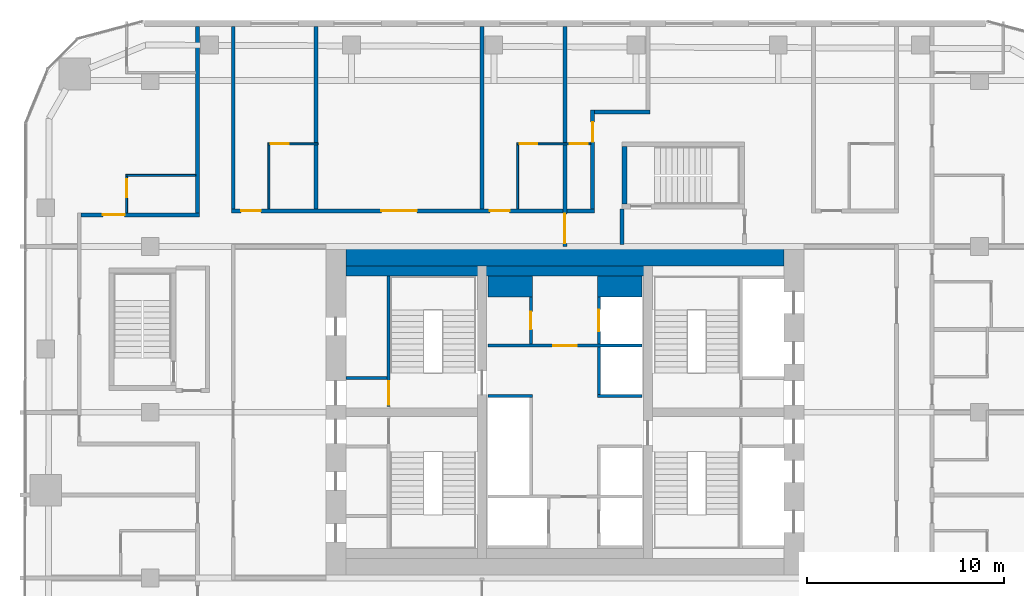
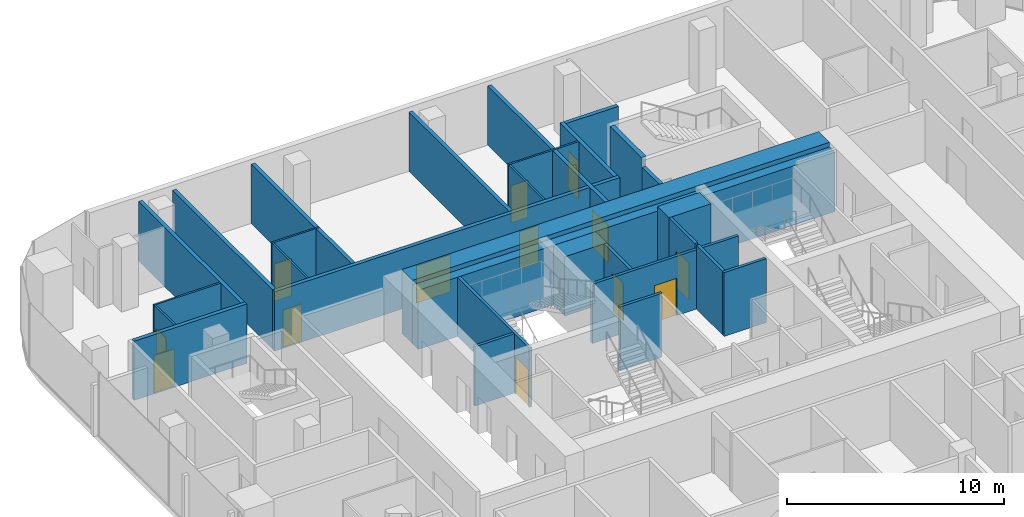
# One storey, part 19 of 23: 29 walls, 14 doors, 14 openings.
"""IFC4 building model written with IfcOpenShell, lengths in metres."""

from ifc_helpers import new_model, si_unit, direction, frame, frame_2d, origin, place, context, subcontext, project, spatial, rectangle, extrude, material, layer, layer_set, type_object, element, fill, save


model = new_model("IFC4")

# Units and contexts
model_context = context("Model", 3, precision=1e-05, world=origin(), true_north=direction((0.0, 1.0)))
body_context = subcontext(model_context, "Body", "Model", "MODEL_VIEW")
ifc_project = project(units=[si_unit("LENGTHUNIT", "METRE"), si_unit("AREAUNIT", "SQUARE_METRE"), si_unit("VOLUMEUNIT", "CUBIC_METRE"), si_unit("PLANEANGLEUNIT", "RADIAN"), si_unit("MASSUNIT", "GRAM", prefix="KILO")], contexts=[model_context])

# Site, building, storey
site_placement = place(None, origin())
site = spatial("IfcSite", under=ifc_project, at=site_placement, CompositionType="ELEMENT")
building_placement = place(site_placement, origin())
building = spatial("IfcBuilding", under=site, at=building_placement, Name="Marenta Gate Hotel Tower", CompositionType="ELEMENT")
storey_placement = place(building_placement, frame((0.0, 0.0, 140.89990234375)))
storey = spatial("IfcBuildingStorey", under=building, at=storey_placement, Name="L32", CompositionType="ELEMENT", Elevation=140.89990234375)

# Wall, opening, door
ifc_material_1 = material(Name="Concrete blockwork", Category="masonry")
ifc_layer_1 = layer(ifc_material_1, 0.199951171875)
ifc_layer_set_1 = layer_set([ifc_layer_1], Name="Concrete blockwork")
wall_type_1 = type_object("IfcWallType", Name="Compartment wall 200 REI 180", PredefinedType="PARTITIONING", material=ifc_layer_set_1)
wall_1_placement = place(storey_placement, frame((0.0, 16.800048828125, 0.0), z_axis=(0.0, 0.0, 1.0), x_axis=(0.0, 1.0, 0.0)))
wall_1 = element("IfcWall", 1, at=wall_1_placement, inside=storey, type_object=wall_type_1, Name="L32-PTN-W075", PredefinedType="PARTITIONING", context=body_context, shape_type="SweptSolid", body=[
    extrude(rectangle(XDim=11.139892578125, YDim=0.199951171875, at=frame_2d((5.56982421875, 0.0))), origin(), (0.0, 0.0, 1.0), 3.340087890625),
])
opening_1_placement = place(wall_1_placement, frame((0.14990234375, 0.0, 0.0)))
opening_1 = element("IfcOpeningElement", 2, at=opening_1_placement, cuts=wall_1, Name="Opening G12-FD1", PredefinedType="OPENING", context=body_context, shape_type="SweptSolid", body=[
    extrude(rectangle(XDim=1.5, YDim=2.10009765625, at=frame_2d((0.75, 1.050048828125))), frame((0.0, 0.10009765625, 0.0), z_axis=(0.0, -1.0, 0.0), x_axis=(1.0, 0.0, 0.0)), (0.0, 0.0, 1.0), 0.199951171875),
])
ifc_material_2 = material(Name="Hollow steel door set", Category="steel")
door_type_1 = type_object("IfcDoorType", Name="Compartment fire door 1500x2100 EI 60", OperationType="DOUBLE_DOOR_DOUBLE_SWING", PredefinedType="DOOR", material=ifc_material_2)
door_1_placement = place(opening_1_placement, origin())
door_1 = element("IfcDoor", 3, at=door_1_placement, inside=storey, type_object=door_type_1, Name="L32-PD-FD01", OperationType="DOUBLE_DOOR_DOUBLE_SWING", OverallHeight=2.10009765625, OverallWidth=1.5, PredefinedType="DOOR", context=body_context, shape_type="SweptSolid", body=[
    extrude(rectangle(XDim=1.5, YDim=2.10009765625, at=frame_2d((0.75, 1.050048828125))), frame((0.0, 0.02490234375, 0.0), z_axis=(0.0, -1.0, 0.0), x_axis=(1.0, 0.0, 0.0)), (0.0, 0.0, 1.0), 0.050048828125),
])
fill(opening_1, door_1)

# Wall
ifc_material_3 = material(Name="Concrete C40", Category="concrete")
ifc_layer_2 = layer(ifc_material_3, 0.5)
ifc_layer_set_2 = layer_set([ifc_layer_2], Name="Concrete C40")
wall_type_2 = type_object("IfcWallType", Name="Core lining wall 500 REI 180", PredefinedType="PARTITIONING", material=ifc_layer_set_2)
wall_2_placement = place(storey_placement, frame((-11.10009765625, 15.550048828125, 0.0), z_axis=(0.0, 0.0, 1.0), x_axis=(1.0, 0.0, 0.0)))
element("IfcWall", 4, at=wall_2_placement, inside=storey, type_object=wall_type_2, Name="L32-CP-LN-N", PredefinedType="PARTITIONING", context=body_context, shape_type="SweptSolid", body=[
    extrude(rectangle(XDim=22.2001953125, YDim=0.5, at=frame_2d((11.10009765625, 0.0))), origin(), (0.0, 0.0, 1.0), 3.340087890625),
])

# Wall, opening, door
ifc_material_4 = material(Name="Concrete blockwork", Category="masonry")
ifc_layer_3 = layer(ifc_material_4, 0.14990234375)
ifc_layer_set_3 = layer_set([ifc_layer_3], Name="Concrete blockwork")
wall_type_3 = type_object("IfcWallType", Name="Core lobby partition 150 REI 180", PredefinedType="PARTITIONING", material=ifc_layer_set_3)
wall_3_placement = place(storey_placement, frame((-3.89990234375, 11.77490234375, 0.0), z_axis=(0.0, 0.0, 1.0), x_axis=(1.0, 0.0, 0.0)))
wall_3 = element("IfcWall", 5, at=wall_3_placement, inside=storey, type_object=wall_type_3, Name="L32-CP-CW-N", PredefinedType="PARTITIONING", context=body_context, shape_type="SweptSolid", body=[
    extrude(rectangle(XDim=7.7998046875, YDim=0.14990234375, at=frame_2d((3.89990234375, 0.0))), origin(), (0.0, 0.0, 1.0), 3.340087890625),
])
opening_2_placement = place(wall_3_placement, frame((3.300048828125, 0.0, 0.0)))
opening_2 = element("IfcOpeningElement", 6, at=opening_2_placement, cuts=wall_3, Name="Opening FD-FFN", PredefinedType="OPENING", context=body_context, shape_type="SweptSolid", body=[
    extrude(rectangle(XDim=1.199951171875, YDim=2.10009765625, at=frame_2d((0.60009765625, 1.050048828125))), frame((0.0, 0.074951171875, 0.0), z_axis=(0.0, -1.0, 0.0), x_axis=(1.0, 0.0, 0.0)), (0.0, 0.0, 1.0), 0.14990234375),
])
ifc_material_5 = material(Name="Steel", Category="steel")
door_type_2 = type_object("IfcDoorType", Name="Core lobby door 1200x2100 FD60", OperationType="SINGLE_SWING_LEFT", PredefinedType="DOOR", material=ifc_material_5)
door_2_placement = place(opening_2_placement, origin())
door_2 = element("IfcDoor", 7, at=door_2_placement, inside=storey, type_object=door_type_2, Name="FD-FFN", OperationType="SINGLE_SWING_LEFT", OverallHeight=2.10009765625, OverallWidth=1.199951171875, PredefinedType="DOOR", context=body_context, shape_type="SweptSolid", body=[
    extrude(rectangle(XDim=1.199951171875, YDim=2.10009765625, at=frame_2d((0.60009765625, 1.050048828125))), frame((0.0, 0.02490234375, 0.0), z_axis=(0.0, -1.0, 0.0), x_axis=(1.0, 0.0, 0.0)), (0.0, 0.0, 1.0), 0.050048828125),
])
fill(opening_2, door_2)

# Walls
ifc_material_6 = material(Name="Concrete blockwork", Category="masonry")
ifc_layer_4 = layer(ifc_material_6, 1.050048828125)
ifc_layer_set_4 = layer_set([ifc_layer_4], Name="Concrete blockwork")
wall_type_4 = type_object("IfcWallType", Name="Core room partition 1050 REI 180", PredefinedType="PARTITIONING", material=ifc_layer_set_4)
wall_4_placement = place(storey_placement, frame((-3.89990234375, 14.77490234375, 0.0), z_axis=(0.0, 0.0, 1.0), x_axis=(1.0, 0.0, 0.0)))
element("IfcWall", 8, at=wall_4_placement, inside=storey, type_object=wall_type_4, Name="L32-CP-CW-W-riser-N", PredefinedType="PARTITIONING", context=body_context, shape_type="SweptSolid", body=[
    extrude(rectangle(XDim=2.25, YDim=1.050048828125, at=frame_2d((1.125, 0.0))), origin(), (0.0, 0.0, 1.0), 3.340087890625),
])
ifc_material_7 = material(Name="Concrete blockwork", Category="masonry")
ifc_layer_5 = layer(ifc_material_7, 0.14990234375)
ifc_layer_set_5 = layer_set([ifc_layer_5], Name="Concrete blockwork")
wall_type_5 = type_object("IfcWallType", Name="Core room partition 150 REI 180", PredefinedType="PARTITIONING", material=ifc_layer_set_5)
wall_5_placement = place(storey_placement, frame((-11.10009765625, 10.125, 0.0), z_axis=(0.0, 0.0, 1.0), x_axis=(1.0, 0.0, 0.0)))
element("IfcWall", 9, at=wall_5_placement, inside=storey, type_object=wall_type_5, Name="L32-CP-SW-WN-2", PredefinedType="PARTITIONING", context=body_context, shape_type="SweptSolid", body=[
    extrude(rectangle(XDim=2.10009765625, YDim=0.14990234375, at=frame_2d((1.050048828125, 0.0))), origin(), (0.0, 0.0, 1.0), 3.340087890625),
])

# Wall, opening, door
wall_6_placement = place(storey_placement, frame((-1.72509765625, 11.85009765625, 0.0), z_axis=(0.0, 0.0, 1.0), x_axis=(0.0, 1.0, 0.0)))
wall_6 = element("IfcWall", 10, at=wall_6_placement, inside=storey, type_object=wall_type_5, Name="L32-CP-CW-W-riser-front", PredefinedType="PARTITIONING", context=body_context, shape_type="SweptSolid", body=[
    extrude(rectangle(XDim=2.39990234375, YDim=0.14990234375, at=frame_2d((1.199951171875, 0.0))), origin(), (0.0, 0.0, 1.0), 3.340087890625),
])
opening_3_placement = place(wall_6_placement, frame((0.75, 0.0, 0.0)))
opening_3 = element("IfcOpeningElement", 11, at=opening_3_placement, cuts=wall_6, Name="Opening RD-CRISER", PredefinedType="OPENING", context=body_context, shape_type="SweptSolid", body=[
    extrude(rectangle(XDim=0.89990234375, YDim=2.10009765625, at=frame_2d((0.449951171875, 1.050048828125))), frame((0.0, 0.074951171875, 0.0), z_axis=(0.0, -1.0, 0.0), x_axis=(1.0, 0.0, 0.0)), (0.0, 0.0, 1.0), 0.14990234375),
])
ifc_material_8 = material(Name="Steel", Category="steel")
door_type_3 = type_object("IfcDoorType", Name="Core riser door 900x2100 FD60", OperationType="SINGLE_SWING_LEFT", PredefinedType="DOOR", material=ifc_material_8)
door_3_placement = place(opening_3_placement, origin())
door_3 = element("IfcDoor", 12, at=door_3_placement, inside=storey, type_object=door_type_3, Name="RD-CRISER", OperationType="SINGLE_SWING_LEFT", OverallHeight=2.10009765625, OverallWidth=0.89990234375, PredefinedType="DOOR", context=body_context, shape_type="SweptSolid", body=[
    extrude(rectangle(XDim=0.89990234375, YDim=2.10009765625, at=frame_2d((0.449951171875, 1.050048828125))), frame((0.0, 0.02490234375, 0.0), z_axis=(0.0, -1.0, 0.0), x_axis=(1.0, 0.0, 0.0)), (0.0, 0.0, 1.0), 0.050048828125),
])
fill(opening_3, door_3)

# Walls
ifc_material_9 = material(Name="Concrete C40", Category="concrete")
ifc_layer_6 = layer(ifc_material_9, 1.050048828125)
ifc_layer_set_6 = layer_set([ifc_layer_6], Name="Concrete C40")
wall_type_6 = type_object("IfcWallType", Name="Core shaft wall 1050 REI 180", PredefinedType="SHEAR", material=ifc_layer_set_6)
wall_7_placement = place(storey_placement, frame((1.64990234375, 14.77490234375, 0.0), z_axis=(0.0, 0.0, 1.0), x_axis=(1.0, 0.0, 0.0)))
element("IfcWall", 13, at=wall_7_placement, inside=storey, type_object=wall_type_6, Name="L32-SHF-CE-N-top", PredefinedType="SHEAR", context=body_context, shape_type="SweptSolid", body=[
    extrude(rectangle(XDim=2.25, YDim=1.050048828125, at=frame_2d((1.125, 0.0))), origin(), (0.0, 0.0, 1.0), 3.60009765625),
])
ifc_material_10 = material(Name="Concrete C40", Category="concrete")
ifc_layer_7 = layer(ifc_material_10, 0.14990234375)
ifc_layer_set_7 = layer_set([ifc_layer_7], Name="Concrete C40")
wall_type_7 = type_object("IfcWallType", Name="Core shaft wall 150 REI 180", PredefinedType="SHEAR", material=ifc_layer_set_7)
wall_8_placement = place(storey_placement, frame((-3.89990234375, 9.22509765625, 0.0), z_axis=(0.0, 0.0, 1.0), x_axis=(1.0, 0.0, 0.0)))
element("IfcWall", 14, at=wall_8_placement, inside=storey, type_object=wall_type_7, Name="L32-SHF-CW-W-sep", PredefinedType="SHEAR", context=body_context, shape_type="SweptSolid", body=[
    extrude(rectangle(XDim=2.25, YDim=0.14990234375, at=frame_2d((1.125, 0.0))), origin(), (0.0, 0.0, 1.0), 3.60009765625),
])

# Wall, opening, door
wall_9_placement = place(storey_placement, frame((1.72509765625, 11.85009765625, 0.0), z_axis=(0.0, 0.0, 1.0), x_axis=(0.0, 1.0, 0.0)))
wall_9 = element("IfcWall", 15, at=wall_9_placement, inside=storey, type_object=wall_type_7, Name="L32-SHF-CE-N-front2", PredefinedType="SHEAR", context=body_context, shape_type="SweptSolid", body=[
    extrude(rectangle(XDim=2.39990234375, YDim=0.14990234375, at=frame_2d((1.199951171875, 0.0))), origin(), (0.0, 0.0, 1.0), 3.60009765625),
])
opening_4_placement = place(wall_9_placement, frame((0.64990234375, 0.0, 0.0)))
opening_4 = element("IfcOpeningElement", 16, at=opening_4_placement, cuts=wall_9, Name="Opening LD-FF2", PredefinedType="OPENING", context=body_context, shape_type="SweptSolid", body=[
    extrude(rectangle(XDim=1.10009765625, YDim=2.10009765625, at=frame_2d((0.550048828125, 1.050048828125))), frame((0.0, 0.074951171875, 0.0), z_axis=(0.0, -1.0, 0.0), x_axis=(1.0, 0.0, 0.0)), (0.0, 0.0, 1.0), 0.14990234375),
])
ifc_material_11 = material(Name="Steel", Category="steel")
door_type_4 = type_object("IfcDoorType", Name="Core lift landing door 1100x2100 E 60", OperationType="SLIDING_TO_LEFT", PredefinedType="DOOR", material=ifc_material_11)
door_4_placement = place(opening_4_placement, origin())
door_4 = element("IfcDoor", 17, at=door_4_placement, inside=storey, type_object=door_type_4, Name="LD-FF2", OperationType="SLIDING_TO_LEFT", OverallHeight=2.10009765625, OverallWidth=1.10009765625, PredefinedType="DOOR", context=body_context, shape_type="SweptSolid", body=[
    extrude(rectangle(XDim=1.10009765625, YDim=2.10009765625, at=frame_2d((0.550048828125, 1.050048828125))), frame((0.0, 0.02490234375, 0.0), z_axis=(0.0, -1.0, 0.0), x_axis=(1.0, 0.0, 0.0)), (0.0, 0.0, 1.0), 0.050048828125),
])
fill(opening_4, door_4)

# Walls
wall_10_placement = place(storey_placement, frame((1.64990234375, 9.22509765625, 0.0), z_axis=(0.0, 0.0, 1.0), x_axis=(1.0, 0.0, 0.0)))
element("IfcWall", 18, at=wall_10_placement, inside=storey, type_object=wall_type_7, Name="L32-SHF-CE-sep2", PredefinedType="SHEAR", context=body_context, shape_type="SweptSolid", body=[
    extrude(rectangle(XDim=2.25, YDim=0.14990234375, at=frame_2d((1.125, 0.0))), origin(), (0.0, 0.0, 1.0), 3.60009765625),
])
wall_11_placement = place(storey_placement, frame((1.72509765625, 9.300048828125, 0.0), z_axis=(0.0, 0.0, 1.0), x_axis=(0.0, 1.0, 0.0)))
element("IfcWall", 19, at=wall_11_placement, inside=storey, type_object=wall_type_7, Name="L32-SHF-CE-front-2", PredefinedType="SHEAR", context=body_context, shape_type="SweptSolid", body=[
    extrude(rectangle(XDim=2.39990234375, YDim=0.14990234375, at=frame_2d((1.199951171875, 0.0))), origin(), (0.0, 0.0, 1.0), 3.60009765625),
])

# Wall, opening, door
ifc_material_12 = material(Name="Concrete C40", Category="concrete")
ifc_layer_8 = layer(ifc_material_12, 0.14990234375)
ifc_layer_set_8 = layer_set([ifc_layer_8], Name="Concrete C40")
wall_type_8 = type_object("IfcWallType", Name="Core stair enclosure wall 150 REI 180", PredefinedType="SHEAR", material=ifc_layer_set_8)
wall_12_placement = place(storey_placement, frame((-8.925048828125, 8.699951171875, 0.0), z_axis=(0.0, 0.0, 1.0), x_axis=(0.0, 1.0, 0.0)))
wall_12 = element("IfcWall", 20, at=wall_12_placement, inside=storey, type_object=wall_type_8, Name="L32-SHF-SW-WN-3", PredefinedType="SHEAR", context=body_context, shape_type="SweptSolid", body=[
    extrude(rectangle(XDim=6.60009765625, YDim=0.14990234375, at=frame_2d((3.300048828125, 0.0))), origin(), (0.0, 0.0, 1.0), 3.340087890625),
])
opening_5_placement = place(wall_12_placement, frame((0.074951171875, 0.0, 0.0)))
opening_5 = element("IfcOpeningElement", 21, at=opening_5_placement, cuts=wall_12, Name="Opening SD-WN", PredefinedType="OPENING", context=body_context, shape_type="SweptSolid", body=[
    extrude(rectangle(XDim=1.199951171875, YDim=2.10009765625, at=frame_2d((0.60009765625, 1.050048828125))), frame((0.0, 0.074951171875, 0.0), z_axis=(0.0, -1.0, 0.0), x_axis=(1.0, 0.0, 0.0)), (0.0, 0.0, 1.0), 0.14990234375),
])
ifc_material_13 = material(Name="Steel", Category="steel")
door_type_5 = type_object("IfcDoorType", Name="Core stair door 1200x2100 FD60", OperationType="SINGLE_SWING_LEFT", PredefinedType="DOOR", material=ifc_material_13)
door_5_placement = place(opening_5_placement, origin())
door_5 = element("IfcDoor", 22, at=door_5_placement, inside=storey, type_object=door_type_5, Name="SD-WN", OperationType="SINGLE_SWING_LEFT", OverallHeight=2.10009765625, OverallWidth=1.199951171875, PredefinedType="DOOR", context=body_context, shape_type="SweptSolid", body=[
    extrude(rectangle(XDim=1.199951171875, YDim=2.10009765625, at=frame_2d((0.60009765625, 1.050048828125))), frame((0.0, 0.02490234375, 0.0), z_axis=(0.0, -1.0, 0.0), x_axis=(1.0, 0.0, 0.0)), (0.0, 0.0, 1.0), 0.050048828125),
])
fill(opening_5, door_5)

# Walls
ifc_material_14 = material(Name="Concrete C70", Category="concrete")
ifc_layer_9 = layer(ifc_material_14, 1.0)
ifc_layer_set_9 = layer_set([ifc_layer_9], Name="Concrete C70")
wall_type_9 = type_object("IfcWallType", Name="Core wall 1000 C70", PredefinedType="SHEAR", material=ifc_layer_set_9)
wall_13_placement = place(storey_placement, frame((-11.10009765625, 16.300048828125, 0.0), z_axis=(0.0, 0.0, 1.0), x_axis=(1.0, 0.0, 0.0)))
element("IfcWall", 23, at=wall_13_placement, inside=storey, type_object=wall_type_9, Name="L32-CORE-N", PredefinedType="SHEAR", context=body_context, shape_type="SweptSolid", body=[
    extrude(rectangle(XDim=22.2001953125, YDim=1.0, at=frame_2d((11.10009765625, 0.0))), origin(), (0.0, 0.0, 1.0), 3.60009765625),
])
ifc_material_15 = material(Name="Concrete C40", Category="concrete")
ifc_layer_10 = layer(ifc_material_15, 0.25)
ifc_layer_set_10 = layer_set([ifc_layer_10], Name="Concrete C40")
wall_type_10 = type_object("IfcWallType", Name="Remote stair enclosure wall 250 REI 180", PredefinedType="SHEAR", material=ifc_layer_set_10)
wall_14_placement = place(storey_placement, frame((3.02490234375, 18.949951171875, 0.10009765625), z_axis=(0.0, 0.0, 1.0), x_axis=(0.0, 1.0, 0.0)))
element("IfcWall", 24, at=wall_14_placement, inside=storey, type_object=wall_type_10, Name="L32-RS-Z2-4-W3", PredefinedType="SHEAR", context=body_context, shape_type="SweptSolid", body=[
    extrude(rectangle(XDim=2.900146484375, YDim=0.25, at=frame_2d((1.4501953125, 0.0))), origin(), (0.0, 0.0, 1.0), 3.60009765625),
])

# Wall, opening, door
ifc_material_16 = material(Name="Gypsum board on steel stud", Category="steel")
ifc_layer_11 = layer(ifc_material_16, 0.199951171875)
ifc_layer_set_11 = layer_set([ifc_layer_11], Name="Gypsum board on steel stud")
wall_type_11 = type_object("IfcWallType", Name="Room corridor wall 200 EI 60", PredefinedType="PARTITIONING", material=ifc_layer_set_11)
wall_15_placement = place(storey_placement, frame((1.39990234375, 18.699951171875, 0.0), z_axis=(0.0, 0.0, 1.0), x_axis=(0.0, 1.0, 0.0)))
wall_15 = element("IfcWall", 25, at=wall_15_placement, inside=storey, type_object=wall_type_11, Name="L32-PTN-W072", PredefinedType="PARTITIONING", context=body_context, shape_type="SweptSolid", body=[
    extrude(rectangle(XDim=5.0, YDim=0.199951171875, at=frame_2d((2.5, 0.0))), origin(), (0.0, 0.0, 1.0), 3.340087890625),
])
opening_6_placement = place(wall_15_placement, frame((3.39990234375, 0.0, 0.0)))
opening_6 = element("IfcOpeningElement", 26, at=opening_6_placement, cuts=wall_15, Name="Opening G12-34", PredefinedType="OPENING", context=body_context, shape_type="SweptSolid", body=[
    extrude(rectangle(XDim=1.0, YDim=2.10009765625, at=frame_2d((0.5, 1.050048828125))), frame((0.0, 0.10009765625, 0.0), z_axis=(0.0, -1.0, 0.0), x_axis=(1.0, 0.0, 0.0)), (0.0, 0.0, 1.0), 0.199951171875),
])
ifc_material_17 = material(Name="Timber door leaf", Category="wood")
door_type_6 = type_object("IfcDoorType", Name="Guest room door 1000x2100 EI 30", OperationType="NOTDEFINED", PredefinedType="DOOR", material=ifc_material_17)
door_6_placement = place(opening_6_placement, origin())
door_6 = element("IfcDoor", 27, at=door_6_placement, inside=storey, type_object=door_type_6, Name="L32-PD-D034", OperationType="SINGLE_SWING_RIGHT", OverallHeight=2.10009765625, OverallWidth=1.0, PredefinedType="DOOR", context=body_context, shape_type="SweptSolid", body=[
    extrude(rectangle(XDim=1.0, YDim=2.10009765625, at=frame_2d((0.5, 1.050048828125))), frame((0.0, 0.02490234375, 0.0), z_axis=(0.0, -1.0, 0.0), x_axis=(1.0, 0.0, 0.0)), (0.0, 0.0, 1.0), 0.050048828125),
])
fill(opening_6, door_6)

# Wall
wall_16_placement = place(storey_placement, frame((-16.800048828125, 18.699951171875, 0.0), z_axis=(0.0, 0.0, 1.0), x_axis=(0.0, 1.0, 0.0)))
element("IfcWall", 28, at=wall_16_placement, inside=storey, type_object=wall_type_11, Name="L32-PTN-W105", PredefinedType="PARTITIONING", context=body_context, shape_type="SweptSolid", body=[
    extrude(rectangle(XDim=9.239990234375, YDim=0.199951171875, at=frame_2d((4.6201171875, 0.0))), origin(), (0.0, 0.0, 1.0), 3.340087890625),
])

# Wall, opening, door
wall_17_placement = place(storey_placement, frame((-24.5, 18.39990234375, 0.0), z_axis=(0.0, 0.0, 1.0), x_axis=(1.0, 0.0, 0.0)))
wall_17 = element("IfcWall", 29, at=wall_17_placement, inside=storey, type_object=wall_type_11, Name="L32-PTN-W109", PredefinedType="PARTITIONING", context=body_context, shape_type="SweptSolid", body=[
    extrude(rectangle(XDim=6.0, YDim=0.199951171875, at=frame_2d((3.0, 0.0))), origin(), (0.0, 0.0, 1.0), 3.340087890625),
])
opening_7_placement = place(wall_17_placement, frame((1.10009765625, 0.0, 0.0)))
opening_7 = element("IfcOpeningElement", 30, at=opening_7_placement, cuts=wall_17, Name="Opening G12-62", PredefinedType="OPENING", context=body_context, shape_type="SweptSolid", body=[
    extrude(rectangle(XDim=1.10009765625, YDim=2.10009765625, at=frame_2d((0.550048828125, 1.050048828125))), frame((0.0, 0.10009765625, 0.0), z_axis=(0.0, -1.0, 0.0), x_axis=(1.0, 0.0, 0.0)), (0.0, 0.0, 1.0), 0.199951171875),
])
ifc_material_18 = material(Name="Timber door leaf", Category="wood")
door_type_7 = type_object("IfcDoorType", Name="Guest room door 1100x2100 EI 30", OperationType="NOTDEFINED", PredefinedType="DOOR", material=ifc_material_18)
door_7_placement = place(opening_7_placement, origin())
door_7 = element("IfcDoor", 31, at=door_7_placement, inside=storey, type_object=door_type_7, Name="L32-PD-D062", OperationType="SINGLE_SWING_RIGHT", OverallHeight=2.10009765625, OverallWidth=1.10009765625, PredefinedType="DOOR", context=body_context, shape_type="SweptSolid", body=[
    extrude(rectangle(XDim=1.10009765625, YDim=2.10009765625, at=frame_2d((0.550048828125, 1.050048828125))), frame((0.0, 0.02490234375, 0.0), z_axis=(0.0, -1.0, 0.0), x_axis=(1.0, 0.0, 0.0)), (0.0, 0.0, 1.0), 0.050048828125),
])
fill(opening_7, door_7)

# Wall
wall_18_placement = place(storey_placement, frame((-18.60009765625, 18.5, 0.0), z_axis=(0.0, 0.0, 1.0), x_axis=(0.0, 1.0, 0.0)))
element("IfcWall", 32, at=wall_18_placement, inside=storey, type_object=wall_type_11, Name="L32-PTN-W111", PredefinedType="PARTITIONING", context=body_context, shape_type="SweptSolid", body=[
    extrude(rectangle(XDim=9.43994140625, YDim=0.199951171875, at=frame_2d((4.719970703125, 0.0))), origin(), (0.0, 0.0, 1.0), 3.340087890625),
])

# Wall, openings, doors
wall_19_placement = place(storey_placement, frame((-16.89990234375, 18.60009765625, 0.0), z_axis=(0.0, 0.0, 1.0), x_axis=(1.0, 0.0, 0.0)))
wall_19 = element("IfcWall", 33, at=wall_19_placement, inside=storey, type_object=wall_type_11, Name="L32-PTN-W112", PredefinedType="PARTITIONING", context=body_context, shape_type="SweptSolid", body=[
    extrude(rectangle(XDim=18.39990234375, YDim=0.199951171875, at=frame_2d((9.199951171875, 0.0))), origin(), (0.0, 0.0, 1.0), 3.340087890625),
])
opening_8_placement = place(wall_19_placement, frame((0.5, 0.0, 0.0)))
opening_8 = element("IfcOpeningElement", 34, at=opening_8_placement, cuts=wall_19, Name="Opening G12-29", PredefinedType="OPENING", context=body_context, shape_type="SweptSolid", body=[
    extrude(rectangle(XDim=1.0, YDim=2.10009765625, at=frame_2d((0.5, 1.050048828125))), frame((0.0, 0.10009765625, 0.0), z_axis=(0.0, -1.0, 0.0), x_axis=(1.0, 0.0, 0.0)), (0.0, 0.0, 1.0), 0.199951171875),
])
opening_9_placement = place(wall_19_placement, frame((7.60009765625, 0.0, 0.0)))
opening_9 = element("IfcOpeningElement", 35, at=opening_9_placement, cuts=wall_19, Name="Opening G12-31", PredefinedType="OPENING", context=body_context, shape_type="SweptSolid", body=[
    extrude(rectangle(XDim=1.800048828125, YDim=2.10009765625, at=frame_2d((0.89990234375, 1.050048828125))), frame((0.0, 0.10009765625, 0.0), z_axis=(0.0, -1.0, 0.0), x_axis=(1.0, 0.0, 0.0)), (0.0, 0.0, 1.0), 0.199951171875),
])
opening_10_placement = place(wall_19_placement, frame((13.10009765625, 0.0, 0.0)))
opening_10 = element("IfcOpeningElement", 36, at=opening_10_placement, cuts=wall_19, Name="Opening G12-32", PredefinedType="OPENING", context=body_context, shape_type="SweptSolid", body=[
    extrude(rectangle(XDim=1.0, YDim=2.10009765625, at=frame_2d((0.5, 1.050048828125))), frame((0.0, 0.10009765625, 0.0), z_axis=(0.0, -1.0, 0.0), x_axis=(1.0, 0.0, 0.0)), (0.0, 0.0, 1.0), 0.199951171875),
])
door_8_placement = place(opening_8_placement, origin())
door_8 = element("IfcDoor", 37, at=door_8_placement, inside=storey, type_object=door_type_6, Name="L32-PD-D029", OperationType="SINGLE_SWING_RIGHT", OverallHeight=2.10009765625, OverallWidth=1.0, PredefinedType="DOOR", context=body_context, shape_type="SweptSolid", body=[
    extrude(rectangle(XDim=1.0, YDim=2.10009765625, at=frame_2d((0.5, 1.050048828125))), frame((0.0, 0.02490234375, 0.0), z_axis=(0.0, -1.0, 0.0), x_axis=(1.0, 0.0, 0.0)), (0.0, 0.0, 1.0), 0.050048828125),
])
fill(opening_8, door_8)
door_9_placement = place(opening_10_placement, origin())
door_9 = element("IfcDoor", 38, at=door_9_placement, inside=storey, type_object=door_type_6, Name="L32-PD-D032", OperationType="SINGLE_SWING_LEFT", OverallHeight=2.10009765625, OverallWidth=1.0, PredefinedType="DOOR", context=body_context, shape_type="SweptSolid", body=[
    extrude(rectangle(XDim=1.0, YDim=2.10009765625, at=frame_2d((0.5, 1.050048828125))), frame((0.0, 0.02490234375, 0.0), z_axis=(0.0, -1.0, 0.0), x_axis=(1.0, 0.0, 0.0)), (0.0, 0.0, 1.0), 0.050048828125),
])
fill(opening_10, door_9)
ifc_material_19 = material(Name="Timber door leaf", Category="wood")
door_type_8 = type_object("IfcDoorType", Name="Room amenity door 1800x2100 EI 30", OperationType="DOUBLE_DOOR_SINGLE_SWING", PredefinedType="DOOR", material=ifc_material_19)
door_10_placement = place(opening_9_placement, origin())
door_10 = element("IfcDoor", 39, at=door_10_placement, inside=storey, type_object=door_type_8, Name="L32-PD-D031", OperationType="DOUBLE_DOOR_SINGLE_SWING", OverallHeight=2.10009765625, OverallWidth=1.800048828125, PredefinedType="DOOR", context=body_context, shape_type="SweptSolid", body=[
    extrude(rectangle(XDim=1.800048828125, YDim=2.10009765625, at=frame_2d((0.89990234375, 1.050048828125))), frame((0.0, 0.02490234375, 0.0), z_axis=(0.0, -1.0, 0.0), x_axis=(1.0, 0.0, 0.0)), (0.0, 0.0, 1.0), 0.050048828125),
])
fill(opening_9, door_10)

# Walls
wall_20_placement = place(storey_placement, frame((1.5, 23.60009765625, 0.0), z_axis=(0.0, 0.0, 1.0), x_axis=(1.0, 0.0, 0.0)))
element("IfcWall", 40, at=wall_20_placement, inside=storey, type_object=wall_type_11, Name="L32-PTN-W127", PredefinedType="PARTITIONING", context=body_context, shape_type="SweptSolid", body=[
    extrude(rectangle(XDim=2.800048828125, YDim=0.199951171875, at=frame_2d((1.39990234375, 0.0))), origin(), (0.0, 0.0, 1.0), 3.340087890625),
])
ifc_material_20 = material(Name="Concrete blockwork", Category="masonry")
ifc_layer_12 = layer(ifc_material_20, 0.199951171875)
ifc_layer_set_12 = layer_set([ifc_layer_12], Name="Concrete blockwork")
wall_type_12 = type_object("IfcWallType", Name="Room corridor wall 200 REI 180", PredefinedType="PARTITIONING", material=ifc_layer_set_12)
wall_21_placement = place(storey_placement, frame((2.89990234375, 16.89990234375, 0.0), z_axis=(0.0, 0.0, 1.0), x_axis=(0.0, 1.0, 0.0)))
element("IfcWall", 41, at=wall_21_placement, inside=storey, type_object=wall_type_12, Name="L32-PTN-W065", PredefinedType="PARTITIONING", context=body_context, shape_type="SweptSolid", body=[
    extrude(rectangle(XDim=1.800048828125, YDim=0.199951171875, at=frame_2d((0.89990234375, 0.0))), origin(), (0.0, 0.0, 1.0), 3.340087890625),
])
ifc_material_21 = material(Name="Gypsum board on steel stud", Category="steel")
ifc_layer_13 = layer(ifc_material_21, 0.10009765625)
ifc_layer_set_13 = layer_set([ifc_layer_13], Name="Gypsum board on steel stud")
wall_type_13 = type_object("IfcWallType", Name="Room partition 100", PredefinedType="PARTITIONING", material=ifc_layer_set_13)
for number, where, z_axis, x_axis, name in (
    (42, (-2.39990234375, 18.699951171875, 0.0), (0.0, 0.0, 1.0), (0.0, 1.0, 0.0), "L32-PTN-W079"),
    (43, (-15.0, 18.699951171875, 0.0), (0.0, 0.0, 1.0), (0.0, 1.0, 0.0), "L32-PTN-W100"),
):
    element("IfcWall", number, at=place(storey_placement, frame(where, z_axis=z_axis, x_axis=x_axis)), inside=storey, type_object=wall_type_13, Name=name, PredefinedType="PARTITIONING", context=body_context, shape_type="SweptSolid", body=[
        extrude(rectangle(XDim=3.25, YDim=0.10009765625, at=frame_2d((1.625, 0.0))), origin(), (0.0, 0.0, 1.0), 3.340087890625),
    ])
wall_22_placement = place(storey_placement, frame((-22.25, 20.39990234375, 0.0), z_axis=(0.0, 0.0, 1.0), x_axis=(1.0, 0.0, 0.0)))
element("IfcWall", 44, at=wall_22_placement, inside=storey, type_object=wall_type_13, Name="L32-PTN-W114", PredefinedType="PARTITIONING", context=body_context, shape_type="SweptSolid", body=[
    extrude(rectangle(XDim=3.550048828125, YDim=0.10009765625, at=frame_2d((1.77490234375, 0.0))), origin(), (0.0, 0.0, 1.0), 3.340087890625),
])

# Wall, opening, door
wall_23_placement = place(storey_placement, frame((-15.050048828125, 22.0, 0.0), z_axis=(0.0, 0.0, 1.0), x_axis=(1.0, 0.0, 0.0)))
wall_23 = element("IfcWall", 45, at=wall_23_placement, inside=storey, type_object=wall_type_13, Name="L32-PTN-W118", PredefinedType="PARTITIONING", context=body_context, shape_type="SweptSolid", body=[
    extrude(rectangle(XDim=2.550048828125, YDim=0.10009765625, at=frame_2d((1.27490234375, 0.0))), origin(), (0.0, 0.0, 1.0), 3.340087890625),
])
opening_11_placement = place(wall_23_placement, frame((0.14990234375, 0.0, 0.0)))
opening_11 = element("IfcOpeningElement", 46, at=opening_11_placement, cuts=wall_23, Name="Opening G12-30", PredefinedType="OPENING", context=body_context, shape_type="SweptSolid", body=[
    extrude(rectangle(XDim=0.89990234375, YDim=2.10009765625, at=frame_2d((0.449951171875, 1.050048828125))), frame((0.0, 0.050048828125, 0.0), z_axis=(0.0, -1.0, 0.0), x_axis=(1.0, 0.0, 0.0)), (0.0, 0.0, 1.0), 0.10009765625),
])
ifc_material_22 = material(Name="Timber door leaf", Category="wood")
door_type_9 = type_object("IfcDoorType", Name="Guest bathroom door 900x2100", OperationType="NOTDEFINED", PredefinedType="DOOR", material=ifc_material_22)
door_11_placement = place(opening_11_placement, origin())
door_11 = element("IfcDoor", 47, at=door_11_placement, inside=storey, type_object=door_type_9, Name="L32-PD-D030", OperationType="SINGLE_SWING_RIGHT", OverallHeight=2.10009765625, OverallWidth=0.89990234375, PredefinedType="DOOR", context=body_context, shape_type="SweptSolid", body=[
    extrude(rectangle(XDim=0.89990234375, YDim=2.10009765625, at=frame_2d((0.449951171875, 1.050048828125))), frame((0.0, 0.02490234375, 0.0), z_axis=(0.0, -1.0, 0.0), x_axis=(1.0, 0.0, 0.0)), (0.0, 0.0, 1.0), 0.050048828125),
])
fill(opening_11, door_11)

# Wall, openings, doors
wall_24_placement = place(storey_placement, frame((-2.449951171875, 22.0, 0.0), z_axis=(0.0, 0.0, 1.0), x_axis=(1.0, 0.0, 0.0)))
wall_24 = element("IfcWall", 48, at=wall_24_placement, inside=storey, type_object=wall_type_13, Name="L32-PTN-W119", PredefinedType="PARTITIONING", context=body_context, shape_type="SweptSolid", body=[
    extrude(rectangle(XDim=3.75, YDim=0.10009765625, at=frame_2d((1.875, 0.0))), origin(), (0.0, 0.0, 1.0), 3.340087890625),
])
opening_12_placement = place(wall_24_placement, frame((0.14990234375, 0.0, 0.0)))
opening_12 = element("IfcOpeningElement", 49, at=opening_12_placement, cuts=wall_24, Name="Opening G12-33", PredefinedType="OPENING", context=body_context, shape_type="SweptSolid", body=[
    extrude(rectangle(XDim=0.89990234375, YDim=2.10009765625, at=frame_2d((0.449951171875, 1.050048828125))), frame((0.0, 0.050048828125, 0.0), z_axis=(0.0, -1.0, 0.0), x_axis=(1.0, 0.0, 0.0)), (0.0, 0.0, 1.0), 0.10009765625),
])
opening_13_placement = place(wall_24_placement, frame((2.699951171875, 0.0, 0.0)))
opening_13 = element("IfcOpeningElement", 50, at=opening_13_placement, cuts=wall_24, Name="Opening G12-35", PredefinedType="OPENING", context=body_context, shape_type="SweptSolid", body=[
    extrude(rectangle(XDim=0.89990234375, YDim=2.10009765625, at=frame_2d((0.449951171875, 1.050048828125))), frame((0.0, 0.050048828125, 0.0), z_axis=(0.0, -1.0, 0.0), x_axis=(1.0, 0.0, 0.0)), (0.0, 0.0, 1.0), 0.10009765625),
])
door_12_placement = place(opening_12_placement, origin())
door_12 = element("IfcDoor", 51, at=door_12_placement, inside=storey, type_object=door_type_9, Name="L32-PD-D033", OperationType="SINGLE_SWING_RIGHT", OverallHeight=2.10009765625, OverallWidth=0.89990234375, PredefinedType="DOOR", context=body_context, shape_type="SweptSolid", body=[
    extrude(rectangle(XDim=0.89990234375, YDim=2.10009765625, at=frame_2d((0.449951171875, 1.050048828125))), frame((0.0, 0.02490234375, 0.0), z_axis=(0.0, -1.0, 0.0), x_axis=(1.0, 0.0, 0.0)), (0.0, 0.0, 1.0), 0.050048828125),
])
fill(opening_12, door_12)
door_13_placement = place(opening_13_placement, origin())
door_13 = element("IfcDoor", 52, at=door_13_placement, inside=storey, type_object=door_type_9, Name="L32-PD-D035", OperationType="SINGLE_SWING_LEFT", OverallHeight=2.10009765625, OverallWidth=0.89990234375, PredefinedType="DOOR", context=body_context, shape_type="SweptSolid", body=[
    extrude(rectangle(XDim=0.89990234375, YDim=2.10009765625, at=frame_2d((0.449951171875, 1.050048828125))), frame((0.0, 0.02490234375, 0.0), z_axis=(0.0, -1.0, 0.0), x_axis=(1.0, 0.0, 0.0)), (0.0, 0.0, 1.0), 0.050048828125),
])
fill(opening_13, door_13)

# Wall, opening, door
wall_25_placement = place(storey_placement, frame((-22.199951171875, 18.5, 0.0), z_axis=(0.0, 0.0, 1.0), x_axis=(0.0, 1.0, 0.0)))
wall_25 = element("IfcWall", 53, at=wall_25_placement, inside=storey, type_object=wall_type_13, Name="L32-PTN-W123", PredefinedType="PARTITIONING", context=body_context, shape_type="SweptSolid", body=[
    extrude(rectangle(XDim=1.85009765625, YDim=0.10009765625, at=frame_2d((0.925048828125, 0.0))), origin(), (0.0, 0.0, 1.0), 3.340087890625),
])
opening_14_placement = place(wall_25_placement, frame((0.800048828125, 0.0, 0.0)))
opening_14 = element("IfcOpeningElement", 54, at=opening_14_placement, cuts=wall_25, Name="Opening G12-63", PredefinedType="OPENING", context=body_context, shape_type="SweptSolid", body=[
    extrude(rectangle(XDim=0.89990234375, YDim=2.10009765625, at=frame_2d((0.449951171875, 1.050048828125))), frame((0.0, 0.050048828125, 0.0), z_axis=(0.0, -1.0, 0.0), x_axis=(1.0, 0.0, 0.0)), (0.0, 0.0, 1.0), 0.10009765625),
])
door_14_placement = place(opening_14_placement, origin())
door_14 = element("IfcDoor", 55, at=door_14_placement, inside=storey, type_object=door_type_9, Name="L32-PD-D063", OperationType="SINGLE_SWING_LEFT", OverallHeight=2.10009765625, OverallWidth=0.89990234375, PredefinedType="DOOR", context=body_context, shape_type="SweptSolid", body=[
    extrude(rectangle(XDim=0.89990234375, YDim=2.10009765625, at=frame_2d((0.449951171875, 1.050048828125))), frame((0.0, 0.02490234375, 0.0), z_axis=(0.0, -1.0, 0.0), x_axis=(1.0, 0.0, 0.0)), (0.0, 0.0, 1.0), 0.050048828125),
])
fill(opening_14, door_14)

# Walls
ifc_material_23 = material(Name="Gypsum board on steel stud", Category="steel")
ifc_layer_14 = layer(ifc_material_23, 0.199951171875)
ifc_layer_set_14 = layer_set([ifc_layer_14], Name="Gypsum board on steel stud")
wall_type_14 = type_object("IfcWallType", Name="Room party wall 200 EI 60", PredefinedType="PARTITIONING", material=ifc_layer_set_14)
for number, where, z_axis, x_axis, name in (
    (56, (-4.199951171875, 18.699951171875, 0.0), (0.0, 0.0, 1.0), (0.0, 1.0, 0.0), "L32-PTN-W083"),
    (57, (-12.60009765625, 18.699951171875, 0.0), (0.0, 0.0, 1.0), (0.0, 1.0, 0.0), "L32-PTN-W098"),
):
    element("IfcWall", number, at=place(storey_placement, frame(where, z_axis=z_axis, x_axis=x_axis)), inside=storey, type_object=wall_type_14, Name=name, PredefinedType="PARTITIONING", context=body_context, shape_type="SweptSolid", body=[
        extrude(rectangle(XDim=9.239990234375, YDim=0.199951171875, at=frame_2d((4.6201171875, 0.0))), origin(), (0.0, 0.0, 1.0), 3.340087890625),
    ])

save(model, "model.ifc")
